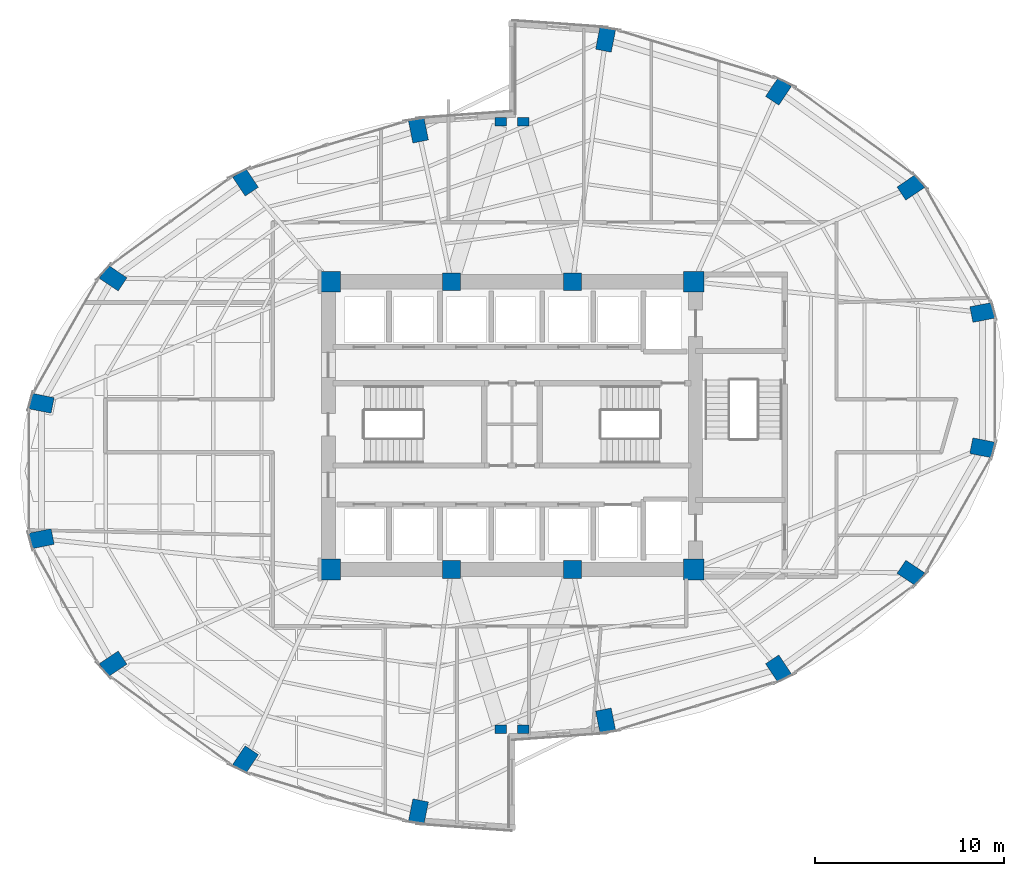
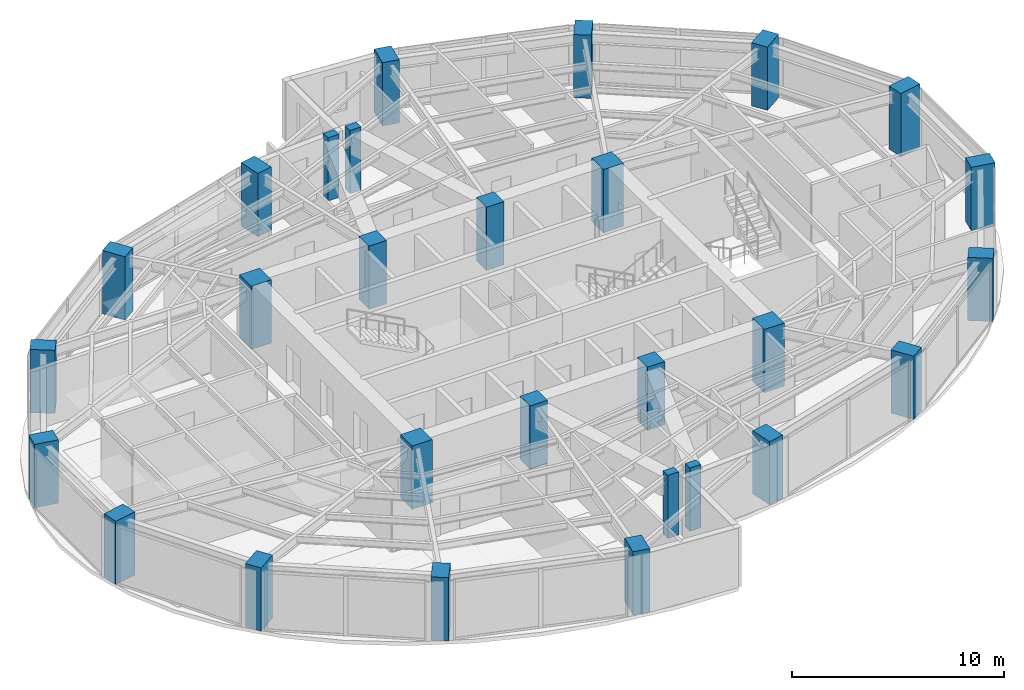
# One storey, part 1 of 23: 28 columns.
"""IFC4 building model written with IfcOpenShell, lengths in metres."""

from ifc_helpers import new_model, si_unit, direction, frame, origin, origin_2d, place, context, subcontext, project, spatial, rectangle, extrude, material, material_profile, profile_set, type_object, element, save


model = new_model("IFC4")

# Units and contexts
model_context = context("Model", 3, precision=1e-05, world=origin(), true_north=direction((0.0, 1.0)))
body_context = subcontext(model_context, "Body", "Model", "MODEL_VIEW")
ifc_project = project(units=[si_unit("LENGTHUNIT", "METRE"), si_unit("AREAUNIT", "SQUARE_METRE"), si_unit("VOLUMEUNIT", "CUBIC_METRE"), si_unit("PLANEANGLEUNIT", "RADIAN"), si_unit("MASSUNIT", "GRAM", prefix="KILO")], contexts=[model_context])

# Site, building, storey
site_placement = place(None, origin())
site = spatial("IfcSite", under=ifc_project, at=site_placement, CompositionType="ELEMENT")
building_placement = place(site_placement, origin())
building = spatial("IfcBuilding", under=site, at=building_placement, Name="Lazwardi Medical Tower", CompositionType="ELEMENT")
storey_placement = place(building_placement, frame((0.0, 0.0, 89.0400390625)))
storey = spatial("IfcBuildingStorey", under=building, at=storey_placement, Name="L22", CompositionType="ELEMENT", Elevation=89.0400390625)

# Columns
ifc_material_1 = material(Name="Concrete C80/95", Category="concrete")
ifc_material_profile_1 = material_profile(ifc_material_1, rectangle(XDim=1.10009765625, YDim=1.10009765625, at=origin_2d()), Name="RC 1100x1100")
ifc_profile_set_1 = profile_set([ifc_material_profile_1], Name="Concrete C80/95")
column_type_1 = type_object("IfcColumnType", Name="COL-CC-L", PredefinedType="COLUMN", material=ifc_profile_set_1)
for number, where, z_axis, x_axis, name in (
    (1, (26.39990234375, 20.39990234375, 0.0), (0.0, 0.0, 1.0), (1.0, 0.0, 0.0), "Core column CC-01 CC1 L22"),
    (2, (45.60009765625, 20.39990234375, 0.0), (0.0, 0.0, 1.0), (1.0, 0.0, 0.0), "Core column CC-01 CC4 L22"),
    (3, (45.60009765625, 35.60009765625, 0.0), (0.0, 0.0, 1.0), (1.0, 0.0, 0.0), "Core column CC-01 CC5 L22"),
    (4, (26.39990234375, 35.60009765625, 0.0), (0.0, 0.0, 1.0), (1.0, 0.0, 0.0), "Core column CC-01 CC8 L22"),
):
    element("IfcColumn", number, at=place(storey_placement, frame(where, z_axis=z_axis, x_axis=x_axis)), inside=storey, type_object=column_type_1, Name=name, PredefinedType="COLUMN", context=body_context, shape_type="SweptSolid", body=[
        extrude(rectangle(XDim=1.10009765625, YDim=1.10009765625, at=origin_2d()), origin(), (0.0, 0.0, 1.0), 3.64794921875),
    ])
ifc_material_2 = material(Name="Concrete C70/85", Category="concrete")
ifc_material_profile_2 = material_profile(ifc_material_2, rectangle(XDim=0.949951171875, YDim=0.949951171875, at=origin_2d()), Name="RC 950x950")
ifc_profile_set_2 = profile_set([ifc_material_profile_2], Name="Concrete C70/85")
column_type_2 = type_object("IfcColumnType", Name="COL-CC-M", PredefinedType="COLUMN", material=ifc_profile_set_2)
for number, where, z_axis, x_axis, name in (
    (5, (32.800048828125, 20.39990234375, 0.0), (0.0, 0.0, 1.0), (1.0, 0.0, 0.0), "Core column CC-02 CC2 L22"),
    (6, (39.199951171875, 20.39990234375, 0.0), (0.0, 0.0, 1.0), (1.0, 0.0, 0.0), "Core column CC-02 CC3 L22"),
    (7, (39.199951171875, 35.60009765625, 0.0), (0.0, 0.0, 1.0), (1.0, 0.0, 0.0), "Core column CC-02 CC6 L22"),
    (8, (32.800048828125, 35.60009765625, 0.0), (0.0, 0.0, 1.0), (1.0, 0.0, 0.0), "Core column CC-02 CC7 L22"),
):
    element("IfcColumn", number, at=place(storey_placement, frame(where, z_axis=z_axis, x_axis=x_axis)), inside=storey, type_object=column_type_2, Name=name, PredefinedType="COLUMN", context=body_context, shape_type="SweptSolid", body=[
        extrude(rectangle(XDim=0.949951171875, YDim=0.949951171875, at=origin_2d()), origin(), (0.0, 0.0, 1.0), 3.64794921875),
    ])
ifc_material_profile_3 = material_profile(ifc_material_2, rectangle(XDim=1.199951171875, YDim=0.840087890625, at=origin_2d()), Name="CFT-RECT 1200x840")
ifc_profile_set_3 = profile_set([ifc_material_profile_3], Name="Concrete C70/85")
column_type_3 = type_object("IfcColumnType", Name="COL-MC-Z2", PredefinedType="COLUMN", material=ifc_profile_set_3)
for number, where, z_axis, x_axis, name in (
    (9, (40.945556640625, 12.402587890625, 0.0), (0.0, 0.0, 1.0), (0.195090322016, -0.980785280403, 0.0), "Mega column MC-04 M01 L22"),
    (10, (50.083740234375, 15.142578125, 0.0), (0.0, 0.0, 1.0), (0.55557023302, -0.831469612303, 0.0), "Mega column MC-04 M02 L22"),
    (11, (57.077880859375, 20.205322265625, 0.0), (0.0, 0.0, 1.0), (0.831469612303, -0.55557023302, 0.0), "Mega column MC-04 M03 L22"),
    (12, (60.86279296875, 26.820068359375, 0.0), (0.0, 0.0, 1.0), (0.980785280403, -0.195090322016, 0.0), "Mega column MC-04 M04 L22"),
    (13, (60.86279296875, 33.97998046875, 0.0), (0.0, 0.0, 1.0), (0.980785280403, 0.195090322016, 0.0), "Mega column MC-04 M05 L22"),
    (14, (57.077880859375, 40.5947265625, 0.0), (0.0, 0.0, 1.0), (0.831469612303, 0.55557023302, 0.0), "Mega column MC-04 M06 L22"),
    (15, (50.083740234375, 45.657470703125, 0.0), (0.0, 0.0, 1.0), (0.55557023302, 0.831469612303, 0.0), "Mega column MC-04 M07 L22"),
    (16, (40.945556640625, 48.3974609375, 0.0), (0.0, 0.0, 1.0), (0.195090322016, 0.980785280403, 0.0), "Mega column MC-04 M08 L22"),
    (17, (31.054443359375, 43.597412109375, 0.0), (0.0, 0.0, 1.0), (-0.195090322016, 0.980785280403, 0.0), "Mega column MC-04 M09 L22"),
    (18, (21.916259765625, 40.857421875, 0.0), (0.0, 0.0, 1.0), (-0.55557023302, 0.831469612303, 0.0), "Mega column MC-04 M10 L22"),
    (19, (14.922119140625, 35.794677734375, 0.0), (0.0, 0.0, 1.0), (-0.831469612303, 0.55557023302, 0.0), "Mega column MC-04 M11 L22"),
    (20, (11.13720703125, 29.179931640625, 0.0), (0.0, 0.0, 1.0), (-0.980785280403, 0.195090322016, 0.0), "Mega column MC-04 M12 L22"),
    (21, (11.13720703125, 22.02001953125, 0.0), (0.0, 0.0, 1.0), (-0.980785280403, -0.195090322016, 0.0), "Mega column MC-04 M13 L22"),
    (22, (14.922119140625, 15.4052734375, 0.0), (0.0, 0.0, 1.0), (-0.831469612303, -0.55557023302, 0.0), "Mega column MC-04 M14 L22"),
    (23, (21.916259765625, 10.342529296875, 0.0), (0.0, 0.0, 1.0), (-0.55557023302, -0.831469612303, 0.0), "Mega column MC-04 M15 L22"),
    (24, (31.054443359375, 7.6025390625, 0.0), (0.0, 0.0, 1.0), (-0.195090322016, -0.980785280403, 0.0), "Mega column MC-04 M16 L22"),
):
    element("IfcColumn", number, at=place(storey_placement, frame(where, z_axis=z_axis, x_axis=x_axis)), inside=storey, type_object=column_type_3, Name=name, PredefinedType="COLUMN", context=body_context, shape_type="SweptSolid", body=[
        extrude(rectangle(XDim=1.199951171875, YDim=0.840087890625, at=origin_2d()), origin(), (0.0, 0.0, 1.0), 3.64794921875),
    ])
ifc_material_3 = material(Name="Concrete C60/75", Category="concrete")
ifc_material_profile_4 = material_profile(ifc_material_3, rectangle(XDim=0.60009765625, YDim=0.449951171875, at=origin_2d()), Name="RC 600x450")
ifc_profile_set_4 = profile_set([ifc_material_profile_4], Name="Concrete C60/75")
column_type_4 = type_object("IfcColumnType", Name="COL-PL-IW", PredefinedType="PILASTER", material=ifc_profile_set_4)
for number, where, z_axis, x_axis, name in (
    (25, (35.39990234375, 44.050048828125, 0.0), (0.0, 0.0, 1.0), (1.0, 0.0, 0.0), "Iwan pilaster column PL-C1 PL1 L22"),
    (26, (36.60009765625, 44.050048828125, 0.0), (0.0, 0.0, 1.0), (1.0, 0.0, 0.0), "Iwan pilaster column PL-C1 PL2 L22"),
    (27, (35.39990234375, 11.949951171875, 0.0), (0.0, 0.0, 1.0), (1.0, 0.0, 0.0), "Iwan pilaster column PL-C1 PL3 L22"),
    (28, (36.60009765625, 11.949951171875, 0.0), (0.0, 0.0, 1.0), (1.0, 0.0, 0.0), "Iwan pilaster column PL-C1 PL4 L22"),
):
    element("IfcColumn", number, at=place(storey_placement, frame(where, z_axis=z_axis, x_axis=x_axis)), inside=storey, type_object=column_type_4, Name=name, PredefinedType="PILASTER", context=body_context, shape_type="SweptSolid", body=[
        extrude(rectangle(XDim=0.60009765625, YDim=0.449951171875, at=origin_2d()), origin(), (0.0, 0.0, 1.0), 3.64794921875),
    ])

save(model, "model.ifc")
